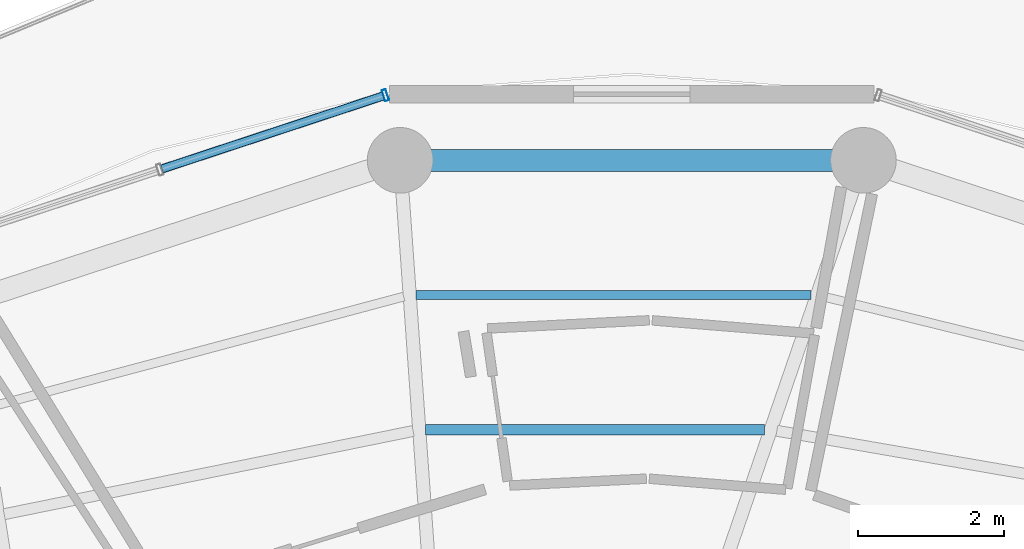
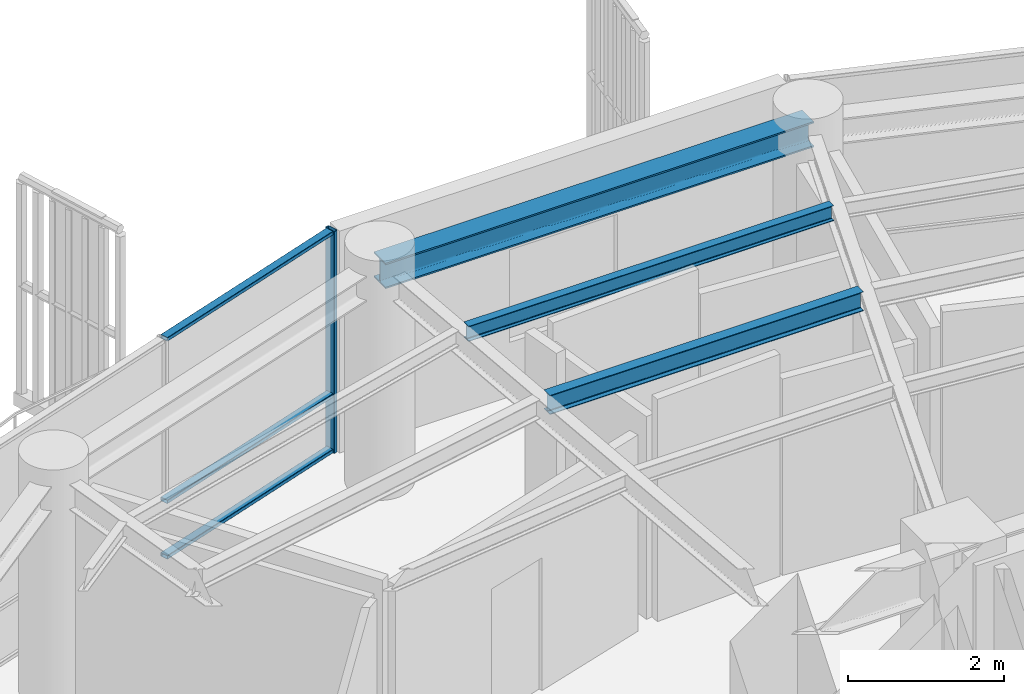
# One storey, part 14 of 24: 4 members, 3 beams, 1 element without a shape of its own.
"""IFC4 building model written with IfcOpenShell, lengths in metres."""

from ifc_helpers import new_model, si_unit, direction, frame, origin, origin_2d, place, context, subcontext, project, spatial, hollow_rectangle, i_section, extrude, material, layer, layer_set, material_profile, profile_set, type_object, element, aggregate, save


model = new_model("IFC4")

# Units and contexts
model_context = context("Model", 3, precision=1e-05, world=origin(), true_north=direction((0.0, 1.0)))
body_context = subcontext(model_context, "Body", "Model", "MODEL_VIEW")
ifc_project = project(units=[si_unit("LENGTHUNIT", "METRE"), si_unit("AREAUNIT", "SQUARE_METRE"), si_unit("VOLUMEUNIT", "CUBIC_METRE"), si_unit("PLANEANGLEUNIT", "RADIAN"), si_unit("MASSUNIT", "GRAM", prefix="KILO")], contexts=[model_context])

# Site, building, storey
site_placement = place(None, origin())
site = spatial("IfcSite", under=ifc_project, at=site_placement, CompositionType="ELEMENT")
building_placement = place(site_placement, origin())
building = spatial("IfcBuilding", under=site, at=building_placement, Name="Kelanora Arch Commons", CompositionType="ELEMENT")
storey_placement = place(building_placement, frame((0.0, 0.0, 248.699951171875)))
storey = spatial("IfcBuildingStorey", under=building, at=storey_placement, Name="L63", CompositionType="ELEMENT", Elevation=248.699951171875)

# Beams
ifc_material_1 = material(Name="Steel S355", Category="steel")
ifc_material_profile_1 = material_profile(ifc_material_1, i_section(OverallWidth=0.14990234375, OverallDepth=0.300048828125, WebThickness=0.007080078125, FlangeThickness=0.0107421875, FilletRadius=0.014892578125, at=origin_2d()), Name="IPE300")
ifc_profile_set_1 = profile_set([ifc_material_profile_1], Name="Steel S355")
beam_type_1 = type_object("IfcBeamType", Name="BM-JST-01", PredefinedType="JOIST", material=ifc_profile_set_1)
beam_1_placement = place(storey_placement, frame((75.819580078125, 70.537841796875, 3.340087890625), z_axis=(-1.0, 0.0, 0.0), x_axis=(0.0, -1.0, 0.0)))
element("IfcBeam", 1, at=beam_1_placement, inside=storey, type_object=beam_type_1, Name="Secondary Chord Joist BJB-08 L63", PredefinedType="JOIST", context=body_context, shape_type="SweptSolid", body=[
    extrude(i_section(OverallWidth=0.14990234375, OverallDepth=0.300048828125, WebThickness=0.007080078125, FlangeThickness=0.0107421875, FilletRadius=0.014892578125, at=origin_2d()), origin(), (0.0, 0.0, 1.0), 4.647216796875),
])
ifc_material_profile_2 = material_profile(ifc_material_1, i_section(OverallWidth=0.1201171875, OverallDepth=0.239990234375, WebThickness=0.006103515625, FlangeThickness=0.009765625, FilletRadius=0.014892578125, at=origin_2d()), Name="IPE240")
ifc_profile_set_2 = profile_set([ifc_material_profile_2], Name="Steel S355")
beam_type_2 = type_object("IfcBeamType", Name="BM-JST-02", PredefinedType="JOIST", material=ifc_profile_set_2)
beam_2_placement = place(storey_placement, frame((76.454345703125, 72.3837890625, 3.3701171875), z_axis=(-1.0, 0.0, 0.0), x_axis=(0.0, -1.0, 0.0)))
element("IfcBeam", 2, at=beam_2_placement, inside=storey, type_object=beam_type_2, Name="Secondary Chord Joist BJC-08 L63", PredefinedType="JOIST", context=body_context, shape_type="SweptSolid", body=[
    extrude(i_section(OverallWidth=0.1201171875, OverallDepth=0.239990234375, WebThickness=0.006103515625, FlangeThickness=0.009765625, FilletRadius=0.014892578125, at=origin_2d()), origin(), (0.0, 0.0, 1.0), 5.412841796875),
])
ifc_material_profile_3 = material_profile(ifc_material_1, i_section(OverallWidth=0.300048828125, OverallDepth=0.39990234375, WebThickness=0.013427734375, FlangeThickness=0.02392578125, FilletRadius=0.027099609375, at=origin_2d()), Name="HEB400")
ifc_profile_set_3 = profile_set([ifc_material_profile_3], Name="Steel S355")
beam_type_3 = type_object("IfcBeamType", Name="BM-SPN-Z4", PredefinedType="SPANDREL", material=ifc_profile_set_3)
beam_3_placement = place(storey_placement, frame((77.17431640625, 74.2294921875, 3.2900390625), z_axis=(-1.0, 0.0, 0.0), x_axis=(0.0, -1.0, 0.0)))
element("IfcBeam", 3, at=beam_3_placement, inside=storey, type_object=beam_type_3, Name="Perimeter Spandrel Beam BS-08 L63", PredefinedType="SPANDREL", context=body_context, shape_type="SweptSolid", body=[
    extrude(i_section(OverallWidth=0.300048828125, OverallDepth=0.39990234375, WebThickness=0.013427734375, FlangeThickness=0.02392578125, FilletRadius=0.027099609375, at=origin_2d()), origin(), (0.0, 0.0, 1.0), 6.3486328125),
])

# Curtain wall, members
ifc_material_2 = material(Name="Terracotta ceramic-fritted low-E glass and aluminium", Category="masonry")
ifc_layer = layer(ifc_material_2, 0.18994140625)
ifc_layer_set = layer_set([ifc_layer], Name="Terracotta ceramic-fritted low-E glass and aluminium")
curtain_wall_type = type_object("IfcCurtainWallType", Name="CW-SYS-03", PredefinedType="NOTDEFINED", material=ifc_layer_set)
curtain_wall_placement = place(storey_placement, origin())
curtain_wall = element("IfcCurtainWall", 4, at=curtain_wall_placement, inside=storey, type_object=curtain_wall_type, Name="Unitised Curtain Wall L63-B05", PredefinedType="NOTDEFINED")
ifc_material_3 = material(Name="Powder-coated aluminium terracotta", Category="masonry")
ifc_material_profile_4 = material_profile(ifc_material_3, hollow_rectangle(XDim=0.159912109375, YDim=0.06005859375, WallThickness=0.0048828125, InnerFilletRadius=0.0048828125, OuterFilletRadius=0.010009765625, at=origin_2d()), Name="CWM160x60")
ifc_profile_set_4 = profile_set([ifc_material_profile_4], Name="Powder-coated aluminium terracotta")
member_type_1 = type_object("IfcMemberType", Name="CWM-STD", PredefinedType="MULLION", material=ifc_profile_set_4)
member_1_placement = place(storey_placement, frame((70.623291015625, 75.12158203125, 0.0), z_axis=(0.0, 0.0, 1.0), x_axis=(0.313252785344, -0.949669780752, 0.0)))
member_1 = element("IfcMember", 5, at=member_1_placement, type_object=member_type_1, Name="CW-03 mullion 1", PredefinedType="MULLION", context=body_context, shape_type="SweptSolid", body=[
    extrude(hollow_rectangle(XDim=0.159912109375, YDim=0.06005859375, WallThickness=0.0048828125, InnerFilletRadius=0.0048828125, OuterFilletRadius=0.010009765625, at=origin_2d()), origin(), (0.0, 0.0, 1.0), 3.47509765625),
])
ifc_material_profile_5 = material_profile(ifc_material_3, hollow_rectangle(XDim=0.1201171875, YDim=0.06005859375, WallThickness=0.0048828125, InnerFilletRadius=0.0048828125, OuterFilletRadius=0.010009765625, at=origin_2d()), Name="CWT120x60")
ifc_profile_set_5 = profile_set([ifc_material_profile_5], Name="Powder-coated aluminium terracotta")
member_type_2 = type_object("IfcMemberType", Name="CWT-STD", PredefinedType="USERDEFINED", material=ifc_profile_set_5)
member_2_placement = place(storey_placement, frame((70.5947265625, 75.1123046875, 0.030029296875), z_axis=(-0.949649574195, -0.313314037719, 0.0), x_axis=(0.313314037719, -0.949649574195, 0.0)))
member_2 = element("IfcMember", 6, at=member_2_placement, type_object=member_type_2, Name="CW-03 transom 1.1", ObjectType="TRANSOM", PredefinedType="USERDEFINED", context=body_context, shape_type="SweptSolid", body=[
    extrude(hollow_rectangle(XDim=0.1201171875, YDim=0.06005859375, WallThickness=0.0048828125, InnerFilletRadius=0.0048828125, OuterFilletRadius=0.010009765625, at=origin_2d()), origin(), (0.0, 0.0, 1.0), 3.194091796875),
])
member_3_placement = place(storey_placement, frame((70.5947265625, 75.1123046875, 0.900146484375), z_axis=(-0.949649574195, -0.313314037719, 0.0), x_axis=(0.313314037719, -0.949649574195, 0.0)))
member_3 = element("IfcMember", 7, at=member_3_placement, type_object=member_type_2, Name="CW-03 transom 1.2", ObjectType="TRANSOM", PredefinedType="USERDEFINED", context=body_context, shape_type="SweptSolid", body=[
    extrude(hollow_rectangle(XDim=0.1201171875, YDim=0.06005859375, WallThickness=0.0048828125, InnerFilletRadius=0.0048828125, OuterFilletRadius=0.010009765625, at=origin_2d()), origin(), (0.0, 0.0, 1.0), 3.194091796875),
])
member_4_placement = place(storey_placement, frame((70.5947265625, 75.1123046875, 3.445068359375), z_axis=(-0.949649574195, -0.313314037719, 0.0), x_axis=(0.313314037719, -0.949649574195, 0.0)))
member_4 = element("IfcMember", 8, at=member_4_placement, type_object=member_type_2, Name="CW-03 transom 1.3", ObjectType="TRANSOM", PredefinedType="USERDEFINED", context=body_context, shape_type="SweptSolid", body=[
    extrude(hollow_rectangle(XDim=0.1201171875, YDim=0.06005859375, WallThickness=0.0048828125, InnerFilletRadius=0.0048828125, OuterFilletRadius=0.010009765625, at=origin_2d()), origin(), (0.0, 0.0, 1.0), 3.194091796875),
])
aggregate(curtain_wall, [member_1, member_2, member_3, member_4])

save(model, "model.ifc")
